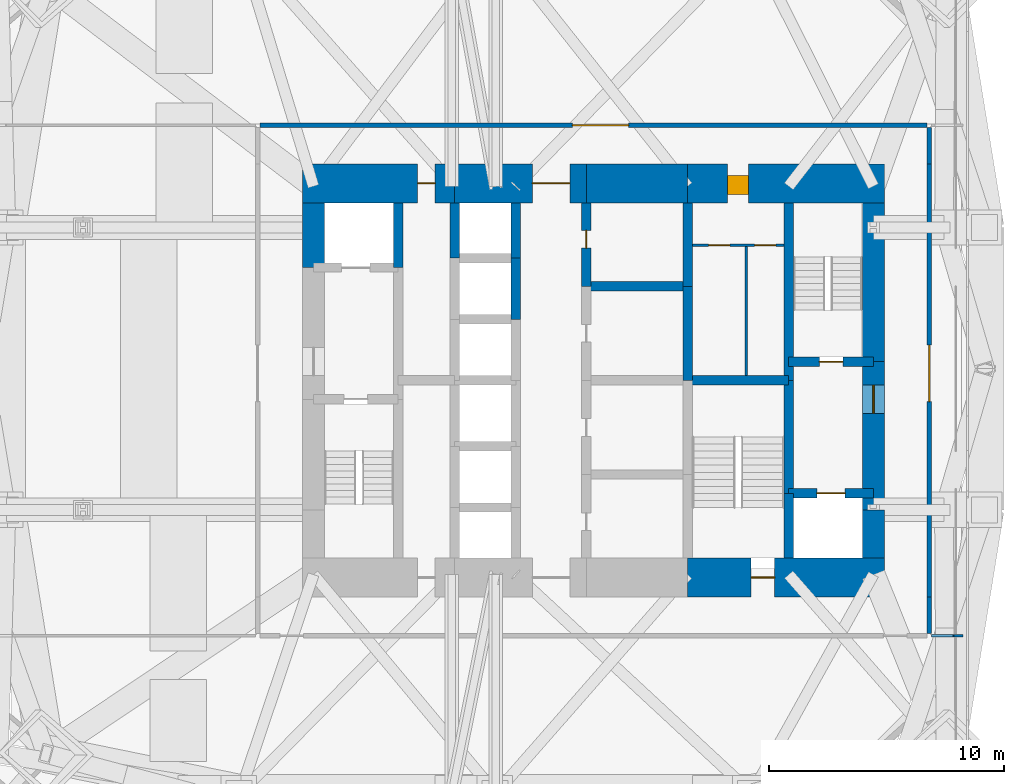
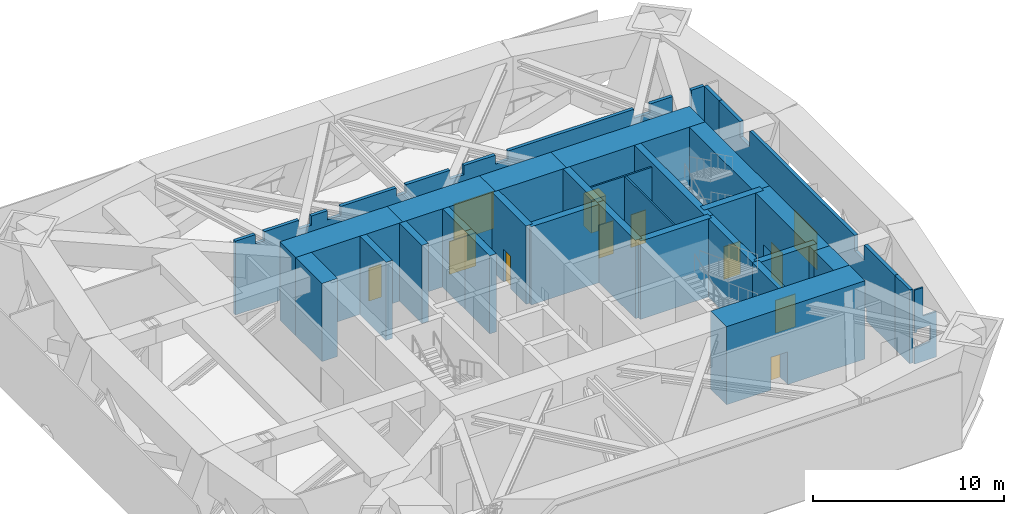
# One storey, part 5 of 8: 30 walls, 12 doors, 12 openings.
"""IFC4 building model written with IfcOpenShell, lengths in metres."""

from ifc_helpers import new_model, si_unit, direction, frame, frame_2d, origin, place, context, subcontext, project, spatial, polyline, rectangle, outline, extrude, material, layer, layer_set, constituent, constituent_set, type_object, element, fill, save


model = new_model("IFC4")

# Units and contexts
model_context = context("Model", 3, precision=1e-05, world=origin(), true_north=direction((0.0, 1.0)))
body_context = subcontext(model_context, "Body", "Model", "MODEL_VIEW")
ifc_project = project(units=[si_unit("LENGTHUNIT", "METRE"), si_unit("AREAUNIT", "SQUARE_METRE"), si_unit("VOLUMEUNIT", "CUBIC_METRE"), si_unit("PLANEANGLEUNIT", "RADIAN"), si_unit("MASSUNIT", "GRAM", prefix="KILO")], contexts=[model_context])

# Site, building, storey
site_placement = place(None, origin())
site = spatial("IfcSite", under=ifc_project, at=site_placement, CompositionType="ELEMENT")
building_placement = place(site_placement, origin())
building = spatial("IfcBuilding", under=site, at=building_placement, Name="Jalousie Tower", CompositionType="ELEMENT")
storey_placement = place(building_placement, frame((0.0, 0.0, 79.75)))
storey = spatial("IfcBuildingStorey", under=building, at=storey_placement, Name="L21", CompositionType="ELEMENT", Elevation=79.75)

# Wall, opening, door
ifc_material_1 = material(Name="Concrete f'c 120 MPa", Category="concrete")
ifc_layer_1 = layer(ifc_material_1, 1.64990234375)
ifc_layer_set_1 = layer_set([ifc_layer_1], Name="Concrete f'c 120 MPa")
wall_type_1 = type_object("IfcWallType", Name="CORE WALL 1650", PredefinedType="SHEAR", material=ifc_layer_set_1)
wall_1_placement = place(storey_placement, frame((35.89990234375, 10.125, 0.0), z_axis=(0.0, 0.0, 1.0), x_axis=(1.0, 0.0, 0.0)))
wall_1 = element("IfcWall", 1, at=wall_1_placement, inside=storey, type_object=wall_type_1, Name="Core wall SD L21", PredefinedType="SHEAR", context=body_context, shape_type="SweptSolid", body=[
    extrude(rectangle(XDim=8.375, YDim=1.64990234375, at=frame_2d((4.1875, 0.0))), origin(), (0.0, 0.0, 1.0), 5.0),
])
opening_1_placement = place(wall_1_placement, frame((2.699951171875, 0.0, 0.0)))
opening_1 = element("IfcOpeningElement", 2, at=opening_1_placement, cuts=wall_1, Name="Opening D10", PredefinedType="OPENING", context=body_context, shape_type="SweptSolid", body=[
    extrude(rectangle(XDim=1.0, YDim=2.10009765625, at=frame_2d((0.5, 1.050048828125))), frame((0.0, 0.8349609375, 0.0), z_axis=(0.0, -1.0, 0.0), x_axis=(1.0, 0.0, 0.0)), (0.0, 0.0, 1.0), 1.669921875),
])
ifc_material_2 = material(Name="Steel fire door", Category="steel")
door_type_1 = type_object("IfcDoorType", Name="STAIR DOOR 1000", OperationType="SINGLE_SWING_LEFT", PredefinedType="DOOR", material=ifc_material_2)
door_1_placement = place(opening_1_placement, origin())
door_1 = element("IfcDoor", 3, at=door_1_placement, inside=storey, type_object=door_type_1, Name="Exit stair C door", OperationType="SINGLE_SWING_RIGHT", OverallHeight=2.10009765625, OverallWidth=1.0, PredefinedType="DOOR", context=body_context, shape_type="SweptSolid", body=[
    extrude(rectangle(XDim=1.0, YDim=2.10009765625, at=frame_2d((0.5, 1.050048828125))), frame((0.0, 0.02490234375, 0.0), z_axis=(0.0, -1.0, 0.0), x_axis=(1.0, 0.0, 0.0)), (0.0, 0.0, 1.0), 0.050048828125),
])
fill(opening_1, door_1)

wall_2_placement = place(storey_placement, frame((44.27490234375, 26.875, 0.0), z_axis=(0.0, 0.0, 1.0), x_axis=(-1.0, 0.0, 0.0)))
wall_2 = element("IfcWall", 4, at=wall_2_placement, inside=storey, type_object=wall_type_1, Name="Core wall NA L21", PredefinedType="SHEAR", context=body_context, shape_type="SweptSolid", body=[
    extrude(rectangle(XDim=8.375, YDim=1.64990234375, at=frame_2d((4.1875, 0.0))), origin(), (0.0, 0.0, 1.0), 5.0),
])
opening_2_placement = place(wall_2_placement, frame((5.77490234375, 0.0, 0.0)))
opening_2 = element("IfcOpeningElement", 5, at=opening_2_placement, cuts=wall_2, Name="Opening D25", PredefinedType="OPENING", context=body_context, shape_type="SweptSolid", body=[
    extrude(rectangle(XDim=0.89990234375, YDim=2.10009765625, at=frame_2d((0.449951171875, 1.050048828125))), frame((0.0, 0.8349609375, 0.0), z_axis=(0.0, -1.0, 0.0), x_axis=(1.0, 0.0, 0.0)), (0.0, 0.0, 1.0), 1.669921875),
])
ifc_material_3 = material(Name="Steel fire door", Category="steel")
door_type_2 = type_object("IfcDoorType", Name="SERVICE LOBBY DOOR 900", OperationType="SINGLE_SWING_LEFT", PredefinedType="DOOR", material=ifc_material_3)
door_2_placement = place(opening_2_placement, origin())
door_2 = element("IfcDoor", 6, at=door_2_placement, inside=storey, type_object=door_type_2, Name="Service lobby door", OperationType="SINGLE_SWING_RIGHT", OverallHeight=2.10009765625, OverallWidth=0.89990234375, PredefinedType="DOOR", context=body_context, shape_type="SweptSolid", body=[
    extrude(rectangle(XDim=0.89990234375, YDim=2.10009765625, at=frame_2d((0.449951171875, 1.050048828125))), frame((0.0, 0.47021484375, 0.0), z_axis=(0.0, -1.0, 0.0), x_axis=(1.0, 0.0, 0.0)), (0.0, 0.0, 1.0), 0.800048828125),
])
fill(opening_2, door_2)

# Wall
wall_3_placement = place(storey_placement, frame((35.89990234375, 26.875, 0.0), z_axis=(0.0, 0.0, 1.0), x_axis=(-1.0, 0.0, 0.0)))
element("IfcWall", 7, at=wall_3_placement, inside=storey, type_object=wall_type_1, Name="Core wall NB L21", PredefinedType="SHEAR", context=body_context, shape_type="SweptSolid", body=[
    extrude(rectangle(XDim=4.2998046875, YDim=1.64990234375, at=frame_2d((2.14990234375, 0.0))), origin(), (0.0, 0.0, 1.0), 5.0),
])

# Wall, opening, door
wall_4_placement = place(storey_placement, frame((31.60009765625, 26.875, 0.0), z_axis=(0.0, 0.0, 1.0), x_axis=(-1.0, 0.0, 0.0)))
wall_4 = element("IfcWall", 8, at=wall_4_placement, inside=storey, type_object=wall_type_1, Name="Core wall NC L21", PredefinedType="SHEAR", context=body_context, shape_type="SweptSolid", body=[
    extrude(rectangle(XDim=5.60009765625, YDim=1.64990234375, at=frame_2d((2.800048828125, 0.0))), origin(), (0.0, 0.0, 1.0), 5.0),
])
opening_3_placement = place(wall_4_placement, frame((0.699951171875, 0.0, 0.0)))
opening_3 = element("IfcOpeningElement", 9, at=opening_3_placement, cuts=wall_4, Name="Opening D15", PredefinedType="OPENING", context=body_context, shape_type="SweptSolid", body=[
    extrude(rectangle(XDim=1.60009765625, YDim=2.10009765625, at=frame_2d((0.800048828125, 1.050048828125))), frame((0.0, 0.8349609375, 0.0), z_axis=(0.0, -1.0, 0.0), x_axis=(1.0, 0.0, 0.0)), (0.0, 0.0, 1.0), 1.669921875),
])
ifc_material_4 = material(Name="Steel fire door", Category="steel")
door_type_3 = type_object("IfcDoorType", Name="LIFT LOBBY DOOR 1600", OperationType="DOUBLE_DOOR_SINGLE_SWING", PredefinedType="DOOR", material=ifc_material_4)
door_3_placement = place(opening_3_placement, origin())
door_3 = element("IfcDoor", 10, at=door_3_placement, inside=storey, type_object=door_type_3, Name="Lift lobby north door", OperationType="DOUBLE_DOOR_SINGLE_SWING", OverallHeight=2.10009765625, OverallWidth=1.60009765625, PredefinedType="DOOR", context=body_context, shape_type="SweptSolid", body=[
    extrude(rectangle(XDim=1.60009765625, YDim=2.10009765625, at=frame_2d((0.800048828125, 1.050048828125))), frame((0.0, 0.02490234375, 0.0), z_axis=(0.0, -1.0, 0.0), x_axis=(1.0, 0.0, 0.0)), (0.0, 0.0, 1.0), 0.050048828125),
])
fill(opening_3, door_3)

wall_5_placement = place(storey_placement, frame((26.0, 26.875, 0.0), z_axis=(0.0, 0.0, 1.0), x_axis=(-1.0, 0.0, 0.0)))
wall_5 = element("IfcWall", 11, at=wall_5_placement, inside=storey, type_object=wall_type_1, Name="Core wall ND L21", PredefinedType="SHEAR", context=body_context, shape_type="SweptSolid", body=[
    extrude(rectangle(XDim=6.47509765625, YDim=1.64990234375, at=frame_2d((3.237548828125, 0.0))), origin(), (0.0, 0.0, 1.0), 5.0),
])
opening_4_placement = place(wall_5_placement, frame((0.824951171875, 0.0, 0.0)))
opening_4 = element("IfcOpeningElement", 12, at=opening_4_placement, cuts=wall_5, Name="Opening D16", PredefinedType="OPENING", context=body_context, shape_type="SweptSolid", body=[
    extrude(rectangle(XDim=0.75, YDim=2.10009765625, at=frame_2d((0.375, 1.050048828125))), frame((0.0, 0.8349609375, 0.0), z_axis=(0.0, -1.0, 0.0), x_axis=(1.0, 0.0, 0.0)), (0.0, 0.0, 1.0), 1.669921875),
])
ifc_material_5 = material(Name="Steel fire door", Category="steel")
door_type_4 = type_object("IfcDoorType", Name="RISER DOOR 750", OperationType="SINGLE_SWING_LEFT", PredefinedType="DOOR", material=ifc_material_5)
door_4_placement = place(opening_4_placement, origin())
door_4 = element("IfcDoor", 13, at=door_4_placement, inside=storey, type_object=door_type_4, Name="North riser door", OperationType="SINGLE_SWING_RIGHT", OverallHeight=2.10009765625, OverallWidth=0.75, PredefinedType="DOOR", context=body_context, shape_type="SweptSolid", body=[
    extrude(rectangle(XDim=0.75, YDim=2.10009765625, at=frame_2d((0.375, 1.050048828125))), frame((0.0, 0.02490234375, 0.0), z_axis=(0.0, -1.0, 0.0), x_axis=(1.0, 0.0, 0.0)), (0.0, 0.0, 1.0), 0.050048828125),
])
fill(opening_4, door_4)

# Walls
ifc_material_6 = material(Name="Concrete f'c 120 MPa", Category="concrete")
ifc_layer_2 = layer(ifc_material_6, 0.39990234375)
ifc_layer_set_2 = layer_set([ifc_layer_2], Name="Concrete f'c 120 MPa")
wall_type_2 = type_object("IfcWallType", Name="CORE WALL 400", PredefinedType="SHEAR", material=ifc_layer_set_2)
wall_6_placement = place(storey_placement, frame((23.60009765625, 23.300048828125, 0.0), z_axis=(0.0, 0.0, 1.0), x_axis=(0.0, 1.0, 0.0)))
element("IfcWall", 14, at=wall_6_placement, inside=storey, type_object=wall_type_2, Name="Core wall X23.6C L21", PredefinedType="SHEAR", context=body_context, shape_type="SweptSolid", body=[
    extrude(rectangle(XDim=2.75, YDim=0.39990234375, at=frame_2d((1.375, 0.0))), origin(), (0.0, 0.0, 1.0), 5.0),
])
wall_7_placement = place(storey_placement, frame((26.0, 23.699951171875, 0.0), z_axis=(0.0, 0.0, 1.0), x_axis=(0.0, 1.0, 0.0)))
element("IfcWall", 15, at=wall_7_placement, inside=storey, type_object=wall_type_2, Name="Core wall X26F L21", PredefinedType="SHEAR", context=body_context, shape_type="SweptSolid", body=[
    extrude(rectangle(XDim=2.35009765625, YDim=0.39990234375, at=frame_2d((1.175048828125, 0.0))), origin(), (0.0, 0.0, 1.0), 5.0),
])
wall_8_placement = place(storey_placement, frame((28.60009765625, 21.10009765625, 0.0), z_axis=(0.0, 0.0, 1.0), x_axis=(0.0, 1.0, 0.0)))
element("IfcWall", 16, at=wall_8_placement, inside=storey, type_object=wall_type_2, Name="Core wall X28.6E L21", PredefinedType="SHEAR", context=body_context, shape_type="SweptSolid", body=[
    extrude(rectangle(XDim=2.599853515625, YDim=0.39990234375, at=frame_2d((1.2998046875, 0.0))), origin(), (0.0, 0.0, 1.0), 5.0),
])
wall_9_placement = place(storey_placement, frame((28.60009765625, 23.699951171875, 0.0), z_axis=(0.0, 0.0, 1.0), x_axis=(0.0, 1.0, 0.0)))
element("IfcWall", 17, at=wall_9_placement, inside=storey, type_object=wall_type_2, Name="Core wall X28.6F L21", PredefinedType="SHEAR", context=body_context, shape_type="SweptSolid", body=[
    extrude(rectangle(XDim=2.35009765625, YDim=0.39990234375, at=frame_2d((1.175048828125, 0.0))), origin(), (0.0, 0.0, 1.0), 5.0),
])

# Wall, opening, door
wall_10_placement = place(storey_placement, frame((31.60009765625, 22.5, 0.0), z_axis=(0.0, 0.0, 1.0), x_axis=(0.0, 1.0, 0.0)))
wall_10 = element("IfcWall", 18, at=wall_10_placement, inside=storey, type_object=wall_type_2, Name="Core wall X31.6D L21", PredefinedType="SHEAR", context=body_context, shape_type="SweptSolid", body=[
    extrude(rectangle(XDim=3.550048828125, YDim=0.39990234375, at=frame_2d((1.77490234375, 0.0))), origin(), (0.0, 0.0, 1.0), 5.0),
])
opening_5_placement = place(wall_10_placement, frame((1.625, 0.0, 0.0)))
opening_5 = element("IfcOpeningElement", 19, at=opening_5_placement, cuts=wall_10, Name="Opening D16", PredefinedType="OPENING", context=body_context, shape_type="SweptSolid", body=[
    extrude(rectangle(XDim=0.75, YDim=2.10009765625, at=frame_2d((0.375, 1.050048828125))), frame((0.0, 0.2099609375, 0.0), z_axis=(0.0, -1.0, 0.0), x_axis=(1.0, 0.0, 0.0)), (0.0, 0.0, 1.0), 0.419921875),
])
door_5_placement = place(opening_5_placement, frame((0.75, 0.0, 0.0), z_axis=(0.0, 0.0, 1.0), x_axis=(-1.0, 0.0, 0.0)))
door_5 = element("IfcDoor", 20, at=door_5_placement, inside=storey, type_object=door_type_4, Name="Water Services Room door", OperationType="SINGLE_SWING_LEFT", OverallHeight=2.10009765625, OverallWidth=0.75, PredefinedType="DOOR", context=body_context, shape_type="SweptSolid", body=[
    extrude(rectangle(XDim=0.75, YDim=2.10009765625, at=frame_2d((0.375, 1.050048828125))), frame((0.0, 0.02490234375, 0.0), z_axis=(0.0, -1.0, 0.0), x_axis=(1.0, 0.0, 0.0)), (0.0, 0.0, 1.0), 0.050048828125),
])
fill(opening_5, door_5)

# Walls
wall_11_placement = place(storey_placement, frame((35.89990234375, 18.5, 0.0), z_axis=(0.0, 0.0, 1.0), x_axis=(0.0, 1.0, 0.0)))
element("IfcWall", 21, at=wall_11_placement, inside=storey, type_object=wall_type_2, Name="Core wall X35.9C L21", PredefinedType="SHEAR", context=body_context, shape_type="SweptSolid", body=[
    extrude(rectangle(XDim=4.0, YDim=0.39990234375, at=frame_2d((2.0, 0.0))), origin(), (0.0, 0.0, 1.0), 5.0),
])
wall_12_placement = place(storey_placement, frame((35.89990234375, 22.5, 0.0), z_axis=(0.0, 0.0, 1.0), x_axis=(0.0, 1.0, 0.0)))
element("IfcWall", 22, at=wall_12_placement, inside=storey, type_object=wall_type_2, Name="Core wall X35.9D L21", PredefinedType="SHEAR", context=body_context, shape_type="SweptSolid", body=[
    extrude(rectangle(XDim=3.550048828125, YDim=0.39990234375, at=frame_2d((1.77490234375, 0.0))), origin(), (0.0, 0.0, 1.0), 5.0),
])
wall_13_placement = place(storey_placement, frame((40.199951171875, 10.949951171875, 0.0), z_axis=(0.0, 0.0, 1.0), x_axis=(0.0, 1.0, 0.0)))
element("IfcWall", 23, at=wall_13_placement, inside=storey, type_object=wall_type_2, Name="Core wall X40.2A L21", PredefinedType="SHEAR", context=body_context, shape_type="SweptSolid", body=[
    extrude(rectangle(XDim=2.75, YDim=0.39990234375, at=frame_2d((1.375, 0.0))), origin(), (0.0, 0.0, 1.0), 5.0),
])
wall_14_placement = place(storey_placement, frame((40.199951171875, 13.699951171875, 0.0), z_axis=(0.0, 0.0, 1.0), x_axis=(0.0, 1.0, 0.0)))
element("IfcWall", 24, at=wall_14_placement, inside=storey, type_object=wall_type_2, Name="Core wall X40.2B L21", PredefinedType="SHEAR", context=body_context, shape_type="SweptSolid", body=[
    extrude(rectangle(XDim=4.800048828125, YDim=0.39990234375, at=frame_2d((2.39990234375, 0.0))), origin(), (0.0, 0.0, 1.0), 5.0),
])
wall_15_placement = place(storey_placement, frame((40.199951171875, 18.5, 0.0), z_axis=(0.0, 0.0, 1.0), x_axis=(0.0, 1.0, 0.0)))
element("IfcWall", 25, at=wall_15_placement, inside=storey, type_object=wall_type_2, Name="Core wall X40.2C L21", PredefinedType="SHEAR", context=body_context, shape_type="SweptSolid", body=[
    extrude(rectangle(XDim=7.550048828125, YDim=0.39990234375, at=frame_2d((3.77490234375, 0.0))), origin(), (0.0, 0.0, 1.0), 5.0),
])
wall_16_placement = place(storey_placement, frame((31.60009765625, 22.5, 0.0), z_axis=(0.0, 0.0, 1.0), x_axis=(1.0, 0.0, 0.0)))
element("IfcWall", 26, at=wall_16_placement, inside=storey, type_object=wall_type_2, Name="Core wall Y31.6-22.5 L21", PredefinedType="SHEAR", context=body_context, shape_type="SweptSolid", body=[
    extrude(rectangle(XDim=4.2998046875, YDim=0.39990234375, at=frame_2d((2.14990234375, 0.0))), origin(), (0.0, 0.0, 1.0), 5.0),
])
wall_17_placement = place(storey_placement, frame((35.89990234375, 18.5, 0.0), z_axis=(0.0, 0.0, 1.0), x_axis=(1.0, 0.0, 0.0)))
element("IfcWall", 27, at=wall_17_placement, inside=storey, type_object=wall_type_2, Name="Core wall Y35.9-18.5 L21", PredefinedType="SHEAR", context=body_context, shape_type="SweptSolid", body=[
    extrude(rectangle(XDim=4.300048828125, YDim=0.39990234375, at=frame_2d((2.14990234375, 0.0))), origin(), (0.0, 0.0, 1.0), 5.0),
])

# Wall, opening, door
wall_18_placement = place(storey_placement, frame((40.199951171875, 13.699951171875, 0.0), z_axis=(0.0, 0.0, 1.0), x_axis=(1.0, 0.0, 0.0)))
wall_18 = element("IfcWall", 28, at=wall_18_placement, inside=storey, type_object=wall_type_2, Name="Core wall Y40.2-13.7 L21", PredefinedType="SHEAR", context=body_context, shape_type="SweptSolid", body=[
    extrude(rectangle(XDim=3.60009765625, YDim=0.39990234375, at=frame_2d((1.800048828125, 0.0))), origin(), (0.0, 0.0, 1.0), 5.0),
])
opening_6_placement = place(wall_18_placement, frame((1.199951171875, 0.0, 0.0)))
opening_6 = element("IfcOpeningElement", 29, at=opening_6_placement, cuts=wall_18, Name="Opening LD2", PredefinedType="OPENING", context=body_context, shape_type="SweptSolid", body=[
    extrude(rectangle(XDim=1.199951171875, YDim=2.10009765625, at=frame_2d((0.60009765625, 1.050048828125))), frame((0.0, 0.2099609375, 0.0), z_axis=(0.0, -1.0, 0.0), x_axis=(1.0, 0.0, 0.0)), (0.0, 0.0, 1.0), 0.419921875),
])
ifc_material_7 = material(Name="Steel lift landing door", Category="steel")
door_type_5 = type_object("IfcDoorType", Name="LIFT LANDING DOOR 1200", OperationType="SLIDING_TO_LEFT", PredefinedType="DOOR", material=ifc_material_7)
door_6_placement = place(opening_6_placement, origin())
door_6 = element("IfcDoor", 30, at=door_6_placement, inside=storey, type_object=door_type_5, Name="Lift F2 landing door", OperationType="SLIDING_TO_LEFT", OverallHeight=2.10009765625, OverallWidth=1.199951171875, PredefinedType="DOOR", context=body_context, shape_type="SweptSolid", body=[
    extrude(rectangle(XDim=1.199951171875, YDim=2.10009765625, at=frame_2d((0.60009765625, 1.050048828125))), frame((0.0, 0.02490234375, 0.0), z_axis=(0.0, -1.0, 0.0), x_axis=(1.0, 0.0, 0.0)), (0.0, 0.0, 1.0), 0.050048828125),
])
fill(opening_6, door_6)

wall_19_placement = place(storey_placement, frame((40.199951171875, 19.300048828125, 0.0), z_axis=(0.0, 0.0, 1.0), x_axis=(1.0, 0.0, 0.0)))
wall_19 = element("IfcWall", 31, at=wall_19_placement, inside=storey, type_object=wall_type_2, Name="Core wall Y40.2-19.3 L21", PredefinedType="SHEAR", context=body_context, shape_type="SweptSolid", body=[
    extrude(rectangle(XDim=3.60009765625, YDim=0.39990234375, at=frame_2d((1.800048828125, 0.0))), origin(), (0.0, 0.0, 1.0), 5.0),
])
opening_7_placement = place(wall_19_placement, frame((1.300048828125, 0.0, 0.0)))
opening_7 = element("IfcOpeningElement", 32, at=opening_7_placement, cuts=wall_19, Name="Opening D10", PredefinedType="OPENING", context=body_context, shape_type="SweptSolid", body=[
    extrude(rectangle(XDim=1.0, YDim=2.10009765625, at=frame_2d((0.5, 1.050048828125))), frame((0.0, 0.2099609375, 0.0), z_axis=(0.0, -1.0, 0.0), x_axis=(1.0, 0.0, 0.0)), (0.0, 0.0, 1.0), 0.419921875),
])
door_7_placement = place(opening_7_placement, origin())
door_7 = element("IfcDoor", 33, at=door_7_placement, inside=storey, type_object=door_type_1, Name="Exit stair B door", OperationType="SINGLE_SWING_RIGHT", OverallHeight=2.10009765625, OverallWidth=1.0, PredefinedType="DOOR", context=body_context, shape_type="SweptSolid", body=[
    extrude(rectangle(XDim=1.0, YDim=2.10009765625, at=frame_2d((0.5, 1.050048828125))), frame((0.0, 0.02490234375, 0.0), z_axis=(0.0, -1.0, 0.0), x_axis=(1.0, 0.0, 0.0)), (0.0, 0.0, 1.0), 0.050048828125),
])
fill(opening_7, door_7)

# Walls
ifc_material_8 = material(Name="Concrete f'c 120 MPa", Category="concrete")
ifc_layer_3 = layer(ifc_material_8, 0.949951171875)
ifc_layer_set_3 = layer_set([ifc_layer_3], Name="Concrete f'c 120 MPa")
wall_type_3 = type_object("IfcWallType", Name="CORE WALL 950", PredefinedType="SHEAR", material=ifc_layer_set_3)
wall_20_placement = place(storey_placement, frame((20.0, 26.050048828125, 0.0), z_axis=(0.0, 0.0, 1.0), x_axis=(0.0, -1.0, 0.0)))
element("IfcWall", 34, at=wall_20_placement, inside=storey, type_object=wall_type_3, Name="Core wall WA L21", PredefinedType="SHEAR", context=body_context, shape_type="SweptSolid", body=[
    extrude(rectangle(XDim=2.75, YDim=0.949951171875, at=frame_2d((1.375, 0.0))), origin(), (0.0, 0.0, 1.0), 5.0),
])
wall_21_placement = place(storey_placement, frame((43.800048828125, 10.949951171875, 0.0), z_axis=(0.0, 0.0, 1.0), x_axis=(0.0, 1.0, 0.0)))
element("IfcWall", 35, at=wall_21_placement, inside=storey, type_object=wall_type_3, Name="Core wall EA L21", PredefinedType="SHEAR", context=body_context, shape_type="SweptSolid", body=[
    extrude(rectangle(XDim=2.050048828125, YDim=0.949951171875, at=frame_2d((1.02490234375, 0.0))), origin(), (0.0, 0.0, 1.0), 5.0),
])

# Wall, opening, door
wall_22_placement = place(storey_placement, frame((43.800048828125, 13.0, 0.0), z_axis=(0.0, 0.0, 1.0), x_axis=(0.0, 1.0, 0.0)))
wall_22 = element("IfcWall", 36, at=wall_22_placement, inside=storey, type_object=wall_type_3, Name="Core wall EB L21", PredefinedType="SHEAR", context=body_context, shape_type="SweptSolid", body=[
    extrude(rectangle(XDim=6.300048828125, YDim=0.949951171875, at=frame_2d((3.14990234375, 0.0))), origin(), (0.0, 0.0, 1.0), 5.0),
])
opening_8_placement = place(wall_22_placement, frame((4.10009765625, 0.0, 0.0)))
opening_8 = element("IfcOpeningElement", 37, at=opening_8_placement, cuts=wall_22, Name="Opening D11", PredefinedType="OPENING", context=body_context, shape_type="SweptSolid", body=[
    extrude(rectangle(XDim=1.199951171875, YDim=2.199951171875, at=frame_2d((0.60009765625, 1.10009765625))), frame((0.0, 0.48486328125, 0.0), z_axis=(0.0, -1.0, 0.0), x_axis=(1.0, 0.0, 0.0)), (0.0, 0.0, 1.0), 0.969970703125),
])
ifc_material_9 = material(Name="Steel fire door", Category="steel")
door_type_6 = type_object("IfcDoorType", Name="FIRE DOOR 1200", OperationType="SINGLE_SWING_LEFT", PredefinedType="DOOR", material=ifc_material_9)
door_8_placement = place(opening_8_placement, origin())
door_8 = element("IfcDoor", 38, at=door_8_placement, inside=storey, type_object=door_type_6, Name="Fire-fighting lobby B door", OperationType="SINGLE_SWING_RIGHT", OverallHeight=2.199951171875, OverallWidth=1.199951171875, PredefinedType="DOOR", context=body_context, shape_type="SweptSolid", body=[
    extrude(rectangle(XDim=1.199951171875, YDim=2.199951171875, at=frame_2d((0.60009765625, 1.10009765625))), frame((0.0, 0.02490234375, 0.0), z_axis=(0.0, -1.0, 0.0), x_axis=(1.0, 0.0, 0.0)), (0.0, 0.0, 1.0), 0.050048828125),
])
fill(opening_8, door_8)

# Walls
wall_23_placement = place(storey_placement, frame((43.800048828125, 19.300048828125, 0.0), z_axis=(0.0, 0.0, 1.0), x_axis=(0.0, 1.0, 0.0)))
element("IfcWall", 39, at=wall_23_placement, inside=storey, type_object=wall_type_3, Name="Core wall EC L21", PredefinedType="SHEAR", context=body_context, shape_type="SweptSolid", body=[
    extrude(rectangle(XDim=6.75, YDim=0.949951171875, at=frame_2d((3.375, 0.0))), origin(), (0.0, 0.0, 1.0), 5.0),
])
ifc_material_10 = material(Name="Concrete block ASTM C90", Category="concrete")
ifc_constituent_1 = constituent(ifc_material_10, Name="Body")
ifc_material_11 = material(Name="Render")
ifc_constituent_2 = constituent(ifc_material_11, Name="Finish")
ifc_constituent_set_1 = constituent_set(constituents=[ifc_constituent_1, ifc_constituent_2])
wall_type_4 = type_object("IfcWallType", Name="CORRIDOR WALL 200", PredefinedType="PARTITIONING", material=ifc_constituent_set_1)
wall_24_placement = place(storey_placement, frame((46.175048828125, 7.75, 0.0), z_axis=(0.0, 0.0, 1.0), x_axis=(0.0, 1.0, 0.0)))
element("IfcWall", 40, at=wall_24_placement, inside=storey, type_object=wall_type_4, Name="Corridor Wall 200 L21", PredefinedType="PARTITIONING", context=body_context, shape_type="SweptSolid", body=[
    extrude(rectangle(XDim=1.550048828125, YDim=0.199951171875, at=frame_2d((0.77490234375, 0.0))), origin(), (0.0, 0.0, 1.0), 4.719970703125),
])

# Wall, opening, door
wall_25_placement = place(storey_placement, frame((17.72509765625, 29.35009765625, 0.0), z_axis=(0.0, 0.0, 1.0), x_axis=(1.0, 0.0, 0.0)))
wall_25 = element("IfcWall", 41, at=wall_25_placement, inside=storey, type_object=wall_type_4, Name="Corridor Wall 200 L21", PredefinedType="PARTITIONING", context=body_context, shape_type="SweptSolid", body=[
    extrude(outline(polyline([(28.35009765625, 0.0), (28.35009765625, 4.719970703125), (27.56689453125, 4.719970703125), (27.56689453125, 3.219970703125), (26.434326171875, 3.219970703125), (26.434326171875, 4.719970703125), (25.083251953125, 4.719970703125), (25.083251953125, 4.140869140625), (24.110595703125, 4.140869140625), (24.110595703125, 4.719970703125), (16.498046875, 4.719970703125), (16.498046875, 4.140869140625), (15.7373046875, 4.140869140625), (15.7373046875, 4.719970703125), (13.83251953125, 4.719970703125), (13.83251953125, 4.140869140625), (12.978515625, 4.140869140625), (12.978515625, 4.719970703125), (10.314453125, 4.719970703125), (10.314453125, 4.194091796875), (9.735595703125, 4.194091796875), (9.735595703125, 4.719970703125), (6.375732421875, 4.719970703125), (6.375732421875, 4.140869140625), (5.5673828125, 4.140869140625), (5.5673828125, 4.719970703125), (4.60205078125, 4.719970703125), (4.60205078125, 4.140869140625), (3.860595703125, 4.140869140625), (3.860595703125, 4.719970703125), (1.76318359375, 4.719970703125), (1.76318359375, 4.140869140625), (1.208984375, 4.140869140625), (1.208984375, 4.719970703125), (0.0, 4.719970703125), (0.0, 0.0), (28.35009765625, 0.0)]), holes=[polyline([(9.234375, 3.3486328125), (9.273681640625, 3.453369140625), (9.869140625, 3.50439453125), (9.869140625, 2.98779296875), (9.829833984375, 2.883056640625), (9.234375, 2.83203125), (9.234375, 3.3486328125)])]), frame((0.0, 0.10009765625, 0.0), z_axis=(0.0, -1.0, 0.0), x_axis=(1.0, 0.0, 0.0)), (0.0, 0.0, 1.0), 0.199951171875),
])
opening_9_placement = place(wall_25_placement, frame((13.27490234375, 0.0, 0.0)))
opening_9 = element("IfcOpeningElement", 42, at=opening_9_placement, cuts=wall_25, Name="Opening D9", PredefinedType="OPENING", context=body_context, shape_type="SweptSolid", body=[
    extrude(rectangle(XDim=2.39990234375, YDim=2.39990234375, at=frame_2d((1.199951171875, 1.199951171875))), frame((0.0, 0.10986328125, 0.0), z_axis=(0.0, -1.0, 0.0), x_axis=(1.0, 0.0, 0.0)), (0.0, 0.0, 1.0), 0.219970703125),
])
ifc_material_12 = material(Name="Steel fire door", Category="steel")
door_type_7 = type_object("IfcDoorType", Name="PLANT DOOR 2400", OperationType="DOUBLE_DOOR_SINGLE_SWING", PredefinedType="DOOR", material=ifc_material_12)
door_9_placement = place(opening_9_placement, origin())
door_9 = element("IfcDoor", 43, at=door_9_placement, inside=storey, type_object=door_type_7, Name="Pump room door", OperationType="DOUBLE_DOOR_SINGLE_SWING", OverallHeight=2.39990234375, OverallWidth=2.39990234375, PredefinedType="DOOR", context=body_context, shape_type="SweptSolid", body=[
    extrude(rectangle(XDim=2.39990234375, YDim=2.39990234375, at=frame_2d((1.199951171875, 1.199951171875))), frame((0.0, 0.02490234375, 0.0), z_axis=(0.0, -1.0, 0.0), x_axis=(1.0, 0.0, 0.0)), (0.0, 0.0, 1.0), 0.050048828125),
])
fill(opening_9, door_9)

# Wall
wall_26_placement = place(storey_placement, frame((46.175048828125, 27.699951171875, 0.0), z_axis=(0.0, 0.0, 1.0), x_axis=(0.0, 1.0, 0.0)))
element("IfcWall", 44, at=wall_26_placement, inside=storey, type_object=wall_type_4, Name="Corridor Wall 200 L21", PredefinedType="PARTITIONING", context=body_context, shape_type="SweptSolid", body=[
    extrude(rectangle(XDim=1.550048828125, YDim=0.199951171875, at=frame_2d((0.77490234375, 0.0))), origin(), (0.0, 0.0, 1.0), 4.719970703125),
])

# Wall, opening, door
wall_27_placement = place(storey_placement, frame((46.175048828125, 9.300048828125, 0.0), z_axis=(0.0, 0.0, 1.0), x_axis=(0.0, 1.0, 0.0)))
wall_27 = element("IfcWall", 45, at=wall_27_placement, inside=storey, type_object=wall_type_4, Name="Corridor Wall 200 L21", PredefinedType="PARTITIONING", context=body_context, shape_type="SweptSolid", body=[
    extrude(outline(polyline([(18.39990234375, 0.0), (18.39990234375, 4.719970703125), (16.199951171875, 4.719970703125), (16.199951171875, 3.719970703125), (15.199951171875, 3.719970703125), (15.199951171875, 4.719970703125), (4.199951171875, 4.719970703125), (4.199951171875, 3.719970703125), (3.199951171875, 3.719970703125), (3.199951171875, 4.719970703125), (0.0, 4.719970703125), (0.0, 0.0), (2.93994140625, 0.0), (2.93994140625, 0.7802734375), (3.453857421875, 0.7802734375), (3.453857421875, 1.001220703125), (3.9462890625, 1.001220703125), (3.9462890625, 0.7802734375), (4.4599609375, 0.7802734375), (4.4599609375, 0.0), (14.93994140625, 0.0), (14.93994140625, 0.7802734375), (15.453857421875, 0.7802734375), (15.453857421875, 1.001220703125), (15.9462890625, 1.001220703125), (15.9462890625, 0.7802734375), (16.4599609375, 0.7802734375), (16.4599609375, 0.0), (18.39990234375, 0.0)])), frame((0.0, 0.10009765625, 0.0), z_axis=(0.0, -1.0, 0.0), x_axis=(1.0, 0.0, 0.0)), (0.0, 0.0, 1.0), 0.199951171875),
])
opening_10_placement = place(wall_27_placement, frame((8.300048828125, 0.0, 0.0)))
opening_10 = element("IfcOpeningElement", 46, at=opening_10_placement, cuts=wall_27, Name="Opening D9", PredefinedType="OPENING", context=body_context, shape_type="SweptSolid", body=[
    extrude(rectangle(XDim=2.39990234375, YDim=2.39990234375, at=frame_2d((1.199951171875, 1.199951171875))), frame((0.0, 0.10986328125, 0.0), z_axis=(0.0, -1.0, 0.0), x_axis=(1.0, 0.0, 0.0)), (0.0, 0.0, 1.0), 0.219970703125),
])
door_10_placement = place(opening_10_placement, frame((2.39990234375, 0.0, 0.0), z_axis=(0.0, 0.0, 1.0), x_axis=(-1.0, 0.0, 0.0)))
door_10 = element("IfcDoor", 47, at=door_10_placement, inside=storey, type_object=door_type_7, Name="Water tank room door", OperationType="DOUBLE_DOOR_SINGLE_SWING", OverallHeight=2.39990234375, OverallWidth=2.39990234375, PredefinedType="DOOR", context=body_context, shape_type="SweptSolid", body=[
    extrude(rectangle(XDim=2.39990234375, YDim=2.39990234375, at=frame_2d((1.199951171875, 1.199951171875))), frame((0.0, 0.02490234375, 0.0), z_axis=(0.0, -1.0, 0.0), x_axis=(1.0, 0.0, 0.0)), (0.0, 0.0, 1.0), 0.050048828125),
])
fill(opening_10, door_10)

# Wall
ifc_material_13 = material(Name="Gypsum board", Category="gypsum")
ifc_constituent_3 = constituent(ifc_material_13, Name="Body")
ifc_material_14 = material(Name="Light-gauge steel studs ASTM A653 SS Grade 33", Category="steel")
ifc_constituent_4 = constituent(ifc_material_14, Name="Framing")
ifc_constituent_set_2 = constituent_set(constituents=[ifc_constituent_3, ifc_constituent_4])
wall_type_5 = type_object("IfcWallType", Name="PARTITION 100", PredefinedType="PARTITIONING", material=ifc_constituent_set_2)
wall_28_placement = place(storey_placement, frame((46.27490234375, 7.64990234375, 0.0), z_axis=(0.0, 0.0, 1.0), x_axis=(1.0, 0.0, 0.0)))
element("IfcWall", 48, at=wall_28_placement, inside=storey, type_object=wall_type_5, Name="Partition 100 L21", PredefinedType="PARTITIONING", context=body_context, shape_type="SweptSolid", body=[
    extrude(outline(polyline([(0.056640625, 0.998291015625), (0.0, 0.998291015625), (0.0, 0.0), (1.324951171875, 0.0), (1.324951171875, 2.89990234375), (0.5361328125, 2.89990234375), (0.5361328125, 4.719970703125), (0.0, 4.719970703125), (0.0, 1.977294921875), (0.150146484375, 1.977294921875), (0.150146484375, 2.090576171875), (0.15087890625, 2.145751953125), (0.970703125, 2.148193359375), (0.970703125, 1.259765625), (0.970458984375, 1.235595703125), (0.969970703125, 1.20458984375), (0.952392578125, 1.204345703125), (0.952392578125, 1.165771484375), (0.914794921875, 1.114501953125), (0.056640625, 0.998291015625)])), frame((0.0, 0.050048828125, 0.0), z_axis=(0.0, -1.0, 0.0), x_axis=(1.0, 0.0, 0.0)), (0.0, 0.0, 1.0), 0.10009765625),
])

# Wall, openings, doors
wall_29_placement = place(storey_placement, frame((36.10009765625, 24.25, 0.0), z_axis=(0.0, 0.0, 1.0), x_axis=(1.0, 0.0, 0.0)))
wall_29 = element("IfcWall", 49, at=wall_29_placement, inside=storey, type_object=wall_type_5, Name="Partition 100 L21", PredefinedType="PARTITIONING", context=body_context, shape_type="SweptSolid", body=[
    extrude(rectangle(XDim=3.89990234375, YDim=0.10009765625, at=frame_2d((1.949951171875, 0.0))), origin(), (0.0, 0.0, 1.0), 4.719970703125),
])
opening_11_placement = place(wall_29_placement, frame((0.699951171875, 0.0, 0.0)))
opening_11 = element("IfcOpeningElement", 50, at=opening_11_placement, cuts=wall_29, Name="Opening D7", PredefinedType="OPENING", context=body_context, shape_type="SweptSolid", body=[
    extrude(rectangle(XDim=0.89990234375, YDim=2.10009765625, at=frame_2d((0.449951171875, 1.050048828125))), frame((0.0, 0.06005859375, 0.0), z_axis=(0.0, -1.0, 0.0), x_axis=(1.0, 0.0, 0.0)), (0.0, 0.0, 1.0), 0.1201171875),
])
opening_12_placement = place(wall_29_placement, frame((2.64990234375, 0.0, 0.0)))
opening_12 = element("IfcOpeningElement", 51, at=opening_12_placement, cuts=wall_29, Name="Opening D7", PredefinedType="OPENING", context=body_context, shape_type="SweptSolid", body=[
    extrude(rectangle(XDim=0.89990234375, YDim=2.10009765625, at=frame_2d((0.449951171875, 1.050048828125))), frame((0.0, 0.06005859375, 0.0), z_axis=(0.0, -1.0, 0.0), x_axis=(1.0, 0.0, 0.0)), (0.0, 0.0, 1.0), 0.1201171875),
])
ifc_material_15 = material(Name="Timber door", Category="wood")
door_type_8 = type_object("IfcDoorType", Name="INTERNAL DOOR 900", OperationType="SINGLE_SWING_LEFT", PredefinedType="DOOR", material=ifc_material_15)
door_11_placement = place(opening_11_placement, frame((0.89990234375, 0.0, 0.0), z_axis=(0.0, 0.0, 1.0), x_axis=(-1.0, 0.0, 0.0)))
door_11 = element("IfcDoor", 52, at=door_11_placement, inside=storey, type_object=door_type_8, Name="IT room door", OperationType="SINGLE_SWING_LEFT", OverallHeight=2.10009765625, OverallWidth=0.89990234375, PredefinedType="DOOR", context=body_context, shape_type="SweptSolid", body=[
    extrude(rectangle(XDim=0.89990234375, YDim=2.10009765625, at=frame_2d((0.449951171875, 1.050048828125))), frame((0.0, 0.02490234375, 0.0), z_axis=(0.0, -1.0, 0.0), x_axis=(1.0, 0.0, 0.0)), (0.0, 0.0, 1.0), 0.050048828125),
])
fill(opening_11, door_11)
door_12_placement = place(opening_12_placement, frame((0.89990234375, 0.0, 0.0), z_axis=(0.0, 0.0, 1.0), x_axis=(-1.0, 0.0, 0.0)))
door_12 = element("IfcDoor", 53, at=door_12_placement, inside=storey, type_object=door_type_8, Name="Staff WC door", OperationType="SINGLE_SWING_RIGHT", OverallHeight=2.10009765625, OverallWidth=0.89990234375, PredefinedType="DOOR", context=body_context, shape_type="SweptSolid", body=[
    extrude(rectangle(XDim=0.89990234375, YDim=2.10009765625, at=frame_2d((0.449951171875, 1.050048828125))), frame((0.0, 0.02490234375, 0.0), z_axis=(0.0, -1.0, 0.0), x_axis=(1.0, 0.0, 0.0)), (0.0, 0.0, 1.0), 0.050048828125),
])
fill(opening_12, door_12)

# Wall
wall_30_placement = place(storey_placement, frame((38.39990234375, 18.699951171875, 0.0), z_axis=(0.0, 0.0, 1.0), x_axis=(0.0, 1.0, 0.0)))
element("IfcWall", 54, at=wall_30_placement, inside=storey, type_object=wall_type_5, Name="Partition 100 L21", PredefinedType="PARTITIONING", context=body_context, shape_type="SweptSolid", body=[
    extrude(rectangle(XDim=5.5, YDim=0.10009765625, at=frame_2d((2.75, 0.0))), origin(), (0.0, 0.0, 1.0), 4.719970703125),
])

save(model, "model.ifc")
